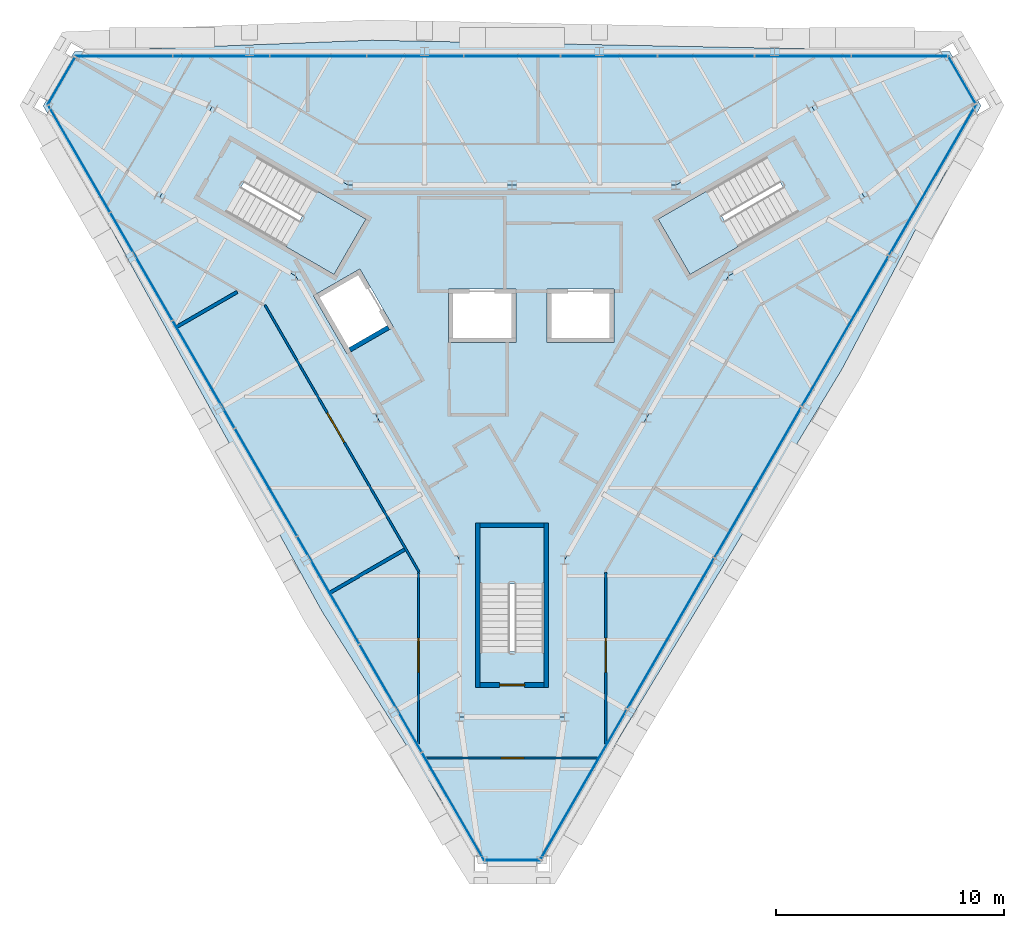
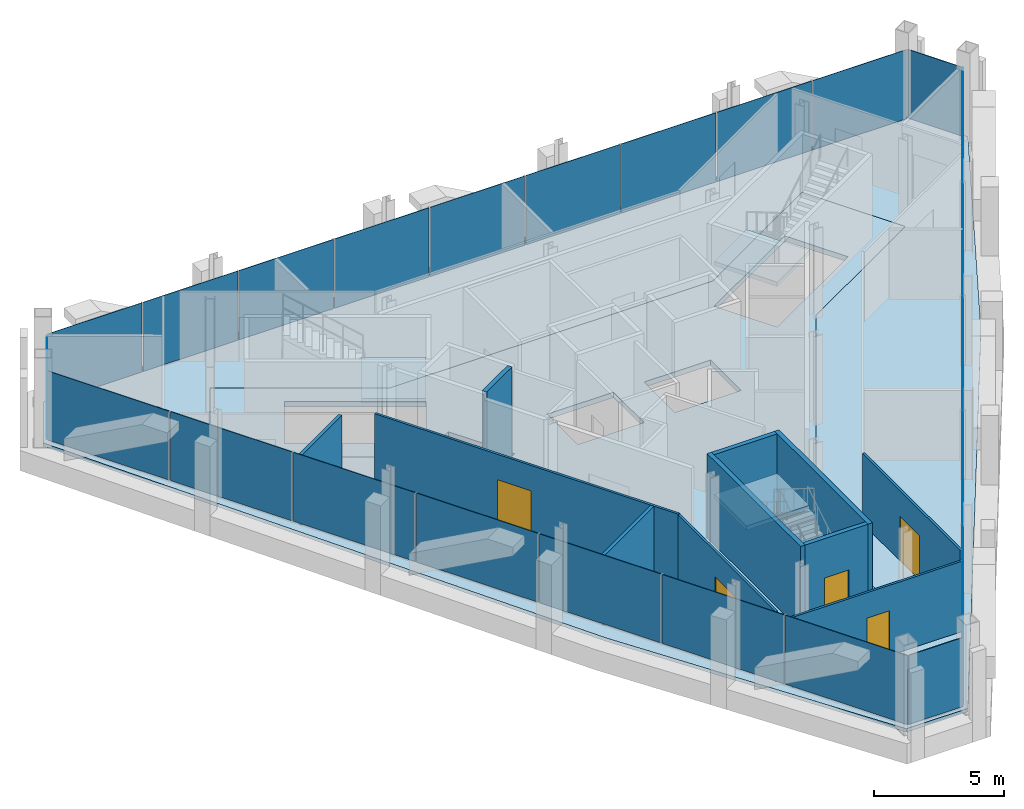
# One storey, part 8 of 13: 24 plates, 11 walls, 5 doors, 5 slabs, 5 openings, 9 elements without a shape of their own.
"""IFC4 building model written with IfcOpenShell, lengths in metres."""

from ifc_helpers import new_model, si_unit, direction, frame, frame_2d, origin, origin_2d, place, context, subcontext, project, spatial, polyline, rectangle, outline, extrude, material, layer, layer_set, type_object, element, fill, aggregate, save


model = new_model("IFC4")

# Units and contexts
model_context = context("Model", 3, precision=1e-05, world=origin(), true_north=direction((0.0, 1.0)))
body_context = subcontext(model_context, "Body", "Model", "MODEL_VIEW")
ifc_project = project(units=[si_unit("LENGTHUNIT", "METRE"), si_unit("AREAUNIT", "SQUARE_METRE"), si_unit("VOLUMEUNIT", "CUBIC_METRE"), si_unit("PLANEANGLEUNIT", "RADIAN"), si_unit("MASSUNIT", "GRAM", prefix="KILO")], contexts=[model_context])

# Site, building, storey
site_placement = place(None, origin())
site = spatial("IfcSite", under=ifc_project, at=site_placement, CompositionType="ELEMENT")
building_placement = place(site_placement, origin())
building = spatial("IfcBuilding", under=site, at=building_placement, Name="Verrane Prism Tower", CompositionType="ELEMENT")
storey_placement = place(building_placement, frame((0.0, 0.0, 312.60009765625)))
storey = spatial("IfcBuildingStorey", under=building, at=storey_placement, Name="L79", CompositionType="ELEMENT", Elevation=312.60009765625)

# Slabs
ifc_material_1 = material(Name="Concrete C35/45", Category="concrete")
ifc_layer_1 = layer(ifc_material_1, 0.159912109375)
ifc_layer_set_1 = layer_set([ifc_layer_1], Name="Composite floor slab")
slab_type_1 = type_object("IfcSlabType", Name="Composite floor slab", PredefinedType="FLOOR", material=ifc_layer_set_1)
slab_1_placement = place(storey_placement, frame((0.0, 0.0, -0.16015625)))
element("IfcSlab", 1, at=slab_1_placement, inside=storey, type_object=slab_type_1, Name="Floor slab L79", PredefinedType="FLOOR", context=body_context, shape_type="SweptSolid", body=[
    extrude(outline(polyline([(14.455810546875, -1.26171875), (1.368896484375, -22.9287109375), (-1.368896484375, -22.9287109375), (-8.320556640625, -11.88818359375), (-20.54150390625, 10.27880859375), (-19.17236328125, 12.64990234375), (-6.13525390625, 13.14990234375), (19.17236328125, 12.64990234375), (20.54150390625, 10.27880859375), (14.455810546875, -1.26171875)]), holes=[polyline([(15.43994140625, 6.260009765625), (13.139892578125, 10.239990234375), (7.179931640625, 6.800048828125), (0.0, 6.800048828125), (-7.179931640625, 6.800048828125), (-13.139892578125, 10.239990234375), (-15.43994140625, 6.260009765625), (-9.47998046875, 2.820068359375), (-5.889892578125, -3.39990234375), (-2.300048828125, -9.6201171875), (-2.300048828125, -16.5), (2.300048828125, -16.5), (2.300048828125, -9.6201171875), (5.889892578125, -3.39990234375), (9.47998046875, 2.820068359375), (15.43994140625, 6.260009765625)])]), origin(), (0.0, 0.0, 1.0), 0.16015625),
])
ifc_material_2 = material(Name="Concrete C40/50", Category="concrete")
ifc_layer_2 = layer(ifc_material_2, 0.25)
ifc_layer_set_2 = layer_set([ifc_layer_2], Name="Core floor slab 250 concrete C40/50")
slab_type_2 = type_object("IfcSlabType", Name="Core floor slab 250 concrete C40/50", PredefinedType="FLOOR", material=ifc_layer_set_2)
slab_2_placement = place(storey_placement, frame((0.0, 0.0, -0.25)))
element("IfcSlab", 2, at=slab_2_placement, inside=storey, type_object=slab_type_2, Name="Core floor L79", PredefinedType="FLOOR", context=body_context, shape_type="SweptSolid", body=[
    extrude(outline(polyline([(9.47998046875, 2.820068359375), (15.43994140625, 6.260009765625), (13.139892578125, 10.239990234375), (7.179931640625, 6.800048828125), (0.0, 6.800048828125), (-7.179931640625, 6.800048828125), (-13.139892578125, 10.239990234375), (-15.43994140625, 6.260009765625), (-9.47998046875, 2.820068359375), (-5.889892578125, -3.39990234375), (-2.300048828125, -9.6201171875), (-2.300048828125, -16.5), (2.300048828125, -16.5), (2.300048828125, -9.6201171875), (5.889892578125, -3.39990234375), (9.47998046875, 2.820068359375)]), holes=[polyline([(-1.39990234375, -13.639892578125), (-1.39990234375, -8.199951171875), (1.39990234375, -8.199951171875), (1.39990234375, -13.639892578125), (-1.39990234375, -13.639892578125)]), polyline([(0.1650390625, 2.25), (0.1650390625, -0.10009765625), (-2.784912109375, -0.10009765625), (-2.784912109375, 2.25), (0.1650390625, 2.25)]), polyline([(4.47509765625, 2.25), (4.47509765625, -0.10009765625), (1.52490234375, -0.10009765625), (1.52490234375, 2.25), (4.47509765625, 2.25)]), polyline([(-8.7041015625, 1.955078125), (-6.66796875, 3.1298828125), (-5.193115234375, 0.574951171875), (-7.22900390625, -0.60009765625), (-8.7041015625, 1.955078125)]), polyline([(-6.40087890625, 5.31201171875), (-7.801025390625, 2.887939453125), (-12.512939453125, 5.60791015625), (-11.113037109375, 8.031982421875), (-6.40087890625, 5.31201171875)]), polyline([(7.801025390625, 2.887939453125), (6.40087890625, 5.31201171875), (11.113037109375, 8.031982421875), (12.512939453125, 5.60791015625), (7.801025390625, 2.887939453125)])]), origin(), (0.0, 0.0, 1.0), 0.25),
])

# Curtain wall, plates
ifc_material_3 = material(Name="Aluminium framed insulated glazing", Category="aluminium")
curtain_wall_type_1 = type_object("IfcCurtainWallType", Name="Curtain wall CW-C 4200 module", PredefinedType="NOTDEFINED", material=ifc_material_3)
curtain_wall_1_placement = place(storey_placement, origin())
curtain_wall_1 = element("IfcCurtainWall", 3, at=curtain_wall_1_placement, inside=storey, type_object=curtain_wall_type_1, Name="Glazed curtain wall north face L79", PredefinedType="NOTDEFINED")
ifc_material_4 = material(Name="Low-iron insulating glass unit", Category="glass")
ifc_layer_3 = layer(ifc_material_4, 0.02392578125)
ifc_layer_set_3 = layer_set([ifc_layer_3], Name="Glazing panel IGU 24")
plate_type_1 = type_object("IfcPlateType", Name="Glazing panel IGU 24", PredefinedType="CURTAIN_PANEL", material=ifc_layer_set_3)
plate_1_placement = place(storey_placement, frame((16.977783203125, 12.447265625, 0.050048828125), z_axis=(0.0, 0.0, 1.0), x_axis=(-1.0, 0.0, 0.0)))
plate_1 = element("IfcPlate", 4, at=plate_1_placement, type_object=plate_type_1, Name="CW79.2 panel 1", PredefinedType="CURTAIN_PANEL", context=body_context, shape_type="SweptSolid", body=[
    extrude(rectangle(XDim=4.172607421875, YDim=0.02392578125, at=origin_2d()), origin(), (0.0, 0.0, 1.0), 3.24658203125),
])
plate_2_placement = place(storey_placement, frame((12.74267578125, 12.447265625, 0.050048828125), z_axis=(0.0, 0.0, 1.0), x_axis=(-1.0, 0.0, 0.0)))
plate_2 = element("IfcPlate", 5, at=plate_2_placement, type_object=plate_type_1, Name="CW79.2 panel 2", PredefinedType="CURTAIN_PANEL", context=body_context, shape_type="SweptSolid", body=[
    extrude(rectangle(XDim=4.197509765625, YDim=0.02392578125, at=origin_2d()), origin(), (0.0, 0.0, 1.0), 3.24658203125),
])
plate_3_placement = place(storey_placement, frame((8.4951171875, 12.447265625, 0.050048828125), z_axis=(0.0, 0.0, 1.0), x_axis=(-1.0, 0.0, 0.0)))
plate_3 = element("IfcPlate", 6, at=plate_3_placement, type_object=plate_type_1, Name="CW79.2 panel 3", PredefinedType="CURTAIN_PANEL", context=body_context, shape_type="SweptSolid", body=[
    extrude(rectangle(XDim=4.197509765625, YDim=0.02392578125, at=origin_2d()), origin(), (0.0, 0.0, 1.0), 3.24658203125),
])
plate_4_placement = place(storey_placement, frame((4.24755859375, 12.447265625, 0.050048828125), z_axis=(0.0, 0.0, 1.0), x_axis=(-1.0, 0.0, 0.0)))
plate_4 = element("IfcPlate", 7, at=plate_4_placement, type_object=plate_type_1, Name="CW79.2 panel 4", PredefinedType="CURTAIN_PANEL", context=body_context, shape_type="SweptSolid", body=[
    extrude(rectangle(XDim=4.197509765625, YDim=0.02392578125, at=origin_2d()), origin(), (0.0, 0.0, 1.0), 3.24658203125),
])
plate_5_placement = place(storey_placement, frame((0.0, 12.447265625, 0.050048828125), z_axis=(0.0, 0.0, 1.0), x_axis=(-1.0, 0.0, 0.0)))
plate_5 = element("IfcPlate", 8, at=plate_5_placement, type_object=plate_type_1, Name="CW79.2 panel 5", PredefinedType="CURTAIN_PANEL", context=body_context, shape_type="SweptSolid", body=[
    extrude(rectangle(XDim=4.197509765625, YDim=0.02392578125, at=origin_2d()), origin(), (0.0, 0.0, 1.0), 3.24658203125),
])
plate_6_placement = place(storey_placement, frame((-4.24755859375, 12.447265625, 0.050048828125), z_axis=(0.0, 0.0, 1.0), x_axis=(-1.0, 0.0, 0.0)))
plate_6 = element("IfcPlate", 9, at=plate_6_placement, type_object=plate_type_1, Name="CW79.2 panel 6", PredefinedType="CURTAIN_PANEL", context=body_context, shape_type="SweptSolid", body=[
    extrude(rectangle(XDim=4.197509765625, YDim=0.02392578125, at=origin_2d()), origin(), (0.0, 0.0, 1.0), 3.24658203125),
])
plate_7_placement = place(storey_placement, frame((-8.4951171875, 12.447265625, 0.050048828125), z_axis=(0.0, 0.0, 1.0), x_axis=(-1.0, 0.0, 0.0)))
plate_7 = element("IfcPlate", 10, at=plate_7_placement, type_object=plate_type_1, Name="CW79.2 panel 7", PredefinedType="CURTAIN_PANEL", context=body_context, shape_type="SweptSolid", body=[
    extrude(rectangle(XDim=4.197509765625, YDim=0.02392578125, at=origin_2d()), origin(), (0.0, 0.0, 1.0), 3.24658203125),
])
plate_8_placement = place(storey_placement, frame((-12.74267578125, 12.447265625, 0.050048828125), z_axis=(0.0, 0.0, 1.0), x_axis=(-1.0, 0.0, 0.0)))
plate_8 = element("IfcPlate", 11, at=plate_8_placement, type_object=plate_type_1, Name="CW79.2 panel 8", PredefinedType="CURTAIN_PANEL", context=body_context, shape_type="SweptSolid", body=[
    extrude(rectangle(XDim=4.197509765625, YDim=0.02392578125, at=origin_2d()), origin(), (0.0, 0.0, 1.0), 3.24658203125),
])
plate_9_placement = place(storey_placement, frame((-17.002685546875, 12.447265625, 0.050048828125), z_axis=(0.0, 0.0, 1.0), x_axis=(-1.0, 0.0, 0.0)))
plate_9 = element("IfcPlate", 12, at=plate_9_placement, type_object=plate_type_1, Name="CW79.2 panel 9", PredefinedType="CURTAIN_PANEL", context=body_context, shape_type="SweptSolid", body=[
    extrude(rectangle(XDim=4.22265625, YDim=0.02392578125, at=origin_2d()), origin(), (0.0, 0.0, 1.0), 3.24658203125),
])
aggregate(curtain_wall_1, [plate_1, plate_2, plate_3, plate_4, plate_5, plate_6, plate_7, plate_8, plate_9])

# Curtain wall, plate
curtain_wall_2_placement = place(storey_placement, origin())
curtain_wall_2 = element("IfcCurtainWall", 13, at=curtain_wall_2_placement, inside=storey, type_object=curtain_wall_type_1, Name="Glazed curtain wall south corner L79", PredefinedType="NOTDEFINED")
plate_10_placement = place(storey_placement, frame((0.02490234375, -22.77685546875, 0.050048828125), z_axis=(0.0, 0.0, 1.0), x_axis=(1.0, 0.0, 0.0)))
plate_10 = element("IfcPlate", 14, at=plate_10_placement, type_object=plate_type_1, Name="CW79.5 panel 1", PredefinedType="CURTAIN_PANEL", context=body_context, shape_type="SweptSolid", body=[
    extrude(rectangle(XDim=2.395263671875, YDim=0.02392578125, at=origin_2d()), origin(), (0.0, 0.0, 1.0), 3.24658203125),
])
aggregate(curtain_wall_2, [plate_10])

# Curtain wall, plates
ifc_material_5 = material(Name="Aluminium framed insulated glazing", Category="aluminium")
curtain_wall_type_2 = type_object("IfcCurtainWallType", Name="Curtain wall CW-B 5600 module", PredefinedType="NOTDEFINED", material=ifc_material_5)
curtain_wall_3_placement = place(storey_placement, origin())
curtain_wall_3 = element("IfcCurtainWall", 15, at=curtain_wall_3_placement, inside=storey, type_object=curtain_wall_type_2, Name="Glazed curtain wall south-west face L79", PredefinedType="NOTDEFINED")
ifc_material_6 = material(Name="Low-iron insulating glass unit", Category="glass")
ifc_layer_4 = layer(ifc_material_6, 0.028076171875)
ifc_layer_set_4 = layer_set([ifc_layer_4], Name="Glazing panel IGU 28")
plate_type_2 = type_object("IfcPlateType", Name="Glazing panel IGU 28", PredefinedType="CURTAIN_PANEL", material=ifc_layer_set_4)
plate_11_placement = place(storey_placement, frame((-18.9638671875, 7.951904296875, 0.059814453125), z_axis=(0.0, 0.0, 1.0), x_axis=(0.500000216749, -0.866025278644, 0.0)))
plate_11 = element("IfcPlate", 16, at=plate_11_placement, type_object=plate_type_2, Name="CW79.4 panel 1", PredefinedType="CURTAIN_PANEL", context=body_context, shape_type="SweptSolid", body=[
    extrude(rectangle(XDim=5.37109375, YDim=0.028076171875, at=origin_2d()), origin(), (0.0, 0.0, 1.0), 3.23681640625),
])
plate_12_placement = place(storey_placement, frame((-16.24072265625, 3.2353515625, 0.059814453125), z_axis=(0.0, 0.0, 1.0), x_axis=(0.500000216749, -0.866025278644, 0.0)))
plate_12 = element("IfcPlate", 17, at=plate_12_placement, type_object=plate_type_2, Name="CW79.4 panel 2", PredefinedType="CURTAIN_PANEL", context=body_context, shape_type="SweptSolid", body=[
    extrude(rectangle(XDim=5.401123046875, YDim=0.028076171875, at=origin_2d()), origin(), (0.0, 0.0, 1.0), 3.23681640625),
])
plate_13_placement = place(storey_placement, frame((-13.51025390625, -1.494140625, 0.059814453125), z_axis=(0.0, 0.0, 1.0), x_axis=(0.500000216749, -0.866025278644, 0.0)))
plate_13 = element("IfcPlate", 18, at=plate_13_placement, type_object=plate_type_2, Name="CW79.4 panel 3", PredefinedType="CURTAIN_PANEL", context=body_context, shape_type="SweptSolid", body=[
    extrude(rectangle(XDim=5.401123046875, YDim=0.028076171875, at=origin_2d()), origin(), (0.0, 0.0, 1.0), 3.23681640625),
])
plate_14_placement = place(storey_placement, frame((-10.779541015625, -6.2236328125, 0.059814453125), z_axis=(0.0, 0.0, 1.0), x_axis=(0.500000216749, -0.866025278644, 0.0)))
plate_14 = element("IfcPlate", 19, at=plate_14_placement, type_object=plate_type_2, Name="CW79.4 panel 4", PredefinedType="CURTAIN_PANEL", context=body_context, shape_type="SweptSolid", body=[
    extrude(rectangle(XDim=5.401123046875, YDim=0.028076171875, at=origin_2d()), origin(), (0.0, 0.0, 1.0), 3.23681640625),
])
plate_15_placement = place(storey_placement, frame((-8.049072265625, -10.953125, 0.059814453125), z_axis=(0.0, 0.0, 1.0), x_axis=(0.500000216749, -0.866025278644, 0.0)))
plate_15 = element("IfcPlate", 20, at=plate_15_placement, type_object=plate_type_2, Name="CW79.4 panel 5", PredefinedType="CURTAIN_PANEL", context=body_context, shape_type="SweptSolid", body=[
    extrude(rectangle(XDim=5.401123046875, YDim=0.028076171875, at=origin_2d()), origin(), (0.0, 0.0, 1.0), 3.23681640625),
])
plate_16_placement = place(storey_placement, frame((-5.318359375, -15.6826171875, 0.059814453125), z_axis=(0.0, 0.0, 1.0), x_axis=(0.500000216749, -0.866025278644, 0.0)))
plate_16 = element("IfcPlate", 21, at=plate_16_placement, type_object=plate_type_2, Name="CW79.4 panel 6", PredefinedType="CURTAIN_PANEL", context=body_context, shape_type="SweptSolid", body=[
    extrude(rectangle(XDim=5.401123046875, YDim=0.028076171875, at=origin_2d()), origin(), (0.0, 0.0, 1.0), 3.23681640625),
])
plate_17_placement = place(storey_placement, frame((-2.580322265625, -20.425048828125, 0.059814453125), z_axis=(0.0, 0.0, 1.0), x_axis=(0.500000216749, -0.866025278644, 0.0)))
plate_17 = element("IfcPlate", 22, at=plate_17_placement, type_object=plate_type_2, Name="CW79.4 panel 7", PredefinedType="CURTAIN_PANEL", context=body_context, shape_type="SweptSolid", body=[
    extrude(rectangle(XDim=5.43115234375, YDim=0.028076171875, at=origin_2d()), origin(), (0.0, 0.0, 1.0), 3.23681640625),
])
aggregate(curtain_wall_3, [plate_11, plate_12, plate_13, plate_14, plate_15, plate_16, plate_17])

# Curtain wall, plate
ifc_material_7 = material(Name="Aluminium framed insulated glazing", Category="aluminium")
curtain_wall_type_3 = type_object("IfcCurtainWallType", Name="Curtain wall CW-A 8400 module", PredefinedType="NOTDEFINED", material=ifc_material_7)
curtain_wall_4_placement = place(storey_placement, origin())
curtain_wall_4 = element("IfcCurtainWall", 23, at=curtain_wall_4_placement, inside=storey, type_object=curtain_wall_type_3, Name="Glazed curtain wall north-east corner L79", PredefinedType="NOTDEFINED")
ifc_material_8 = material(Name="Low-iron insulating glass unit", Category="glass")
ifc_layer_5 = layer(ifc_material_8, 0.031982421875)
ifc_layer_set_5 = layer_set([ifc_layer_5], Name="Glazing panel IGU 32")
plate_type_3 = type_object("IfcPlateType", Name="Glazing panel IGU 32", PredefinedType="CURTAIN_PANEL", material=ifc_layer_set_5)
plate_18_placement = place(storey_placement, frame((19.707763671875, 11.418701171875, 0.06982421875), z_axis=(0.0, 0.0, 1.0), x_axis=(-0.500000941634, 0.866024860131, 0.0)))
plate_18 = element("IfcPlate", 24, at=plate_18_placement, type_object=plate_type_3, Name="CW79.1 panel 1", PredefinedType="CURTAIN_PANEL", context=body_context, shape_type="SweptSolid", body=[
    extrude(rectangle(XDim=2.375244140625, YDim=0.031982421875, at=origin_2d()), origin(), (0.0, 0.0, 1.0), 3.226806640625),
])
aggregate(curtain_wall_4, [plate_18])

curtain_wall_5_placement = place(storey_placement, origin())
curtain_wall_5 = element("IfcCurtainWall", 25, at=curtain_wall_5_placement, inside=storey, type_object=curtain_wall_type_3, Name="Glazed curtain wall north-west corner L79", PredefinedType="NOTDEFINED")
plate_19_placement = place(storey_placement, frame((-19.742919921875, 11.358154296875, 0.06982421875), z_axis=(0.0, 0.0, 1.0), x_axis=(-0.500000941634, -0.866024860131, 0.0)))
plate_19 = element("IfcPlate", 26, at=plate_19_placement, type_object=plate_type_3, Name="CW79.3 panel 1", PredefinedType="CURTAIN_PANEL", context=body_context, shape_type="SweptSolid", body=[
    extrude(rectangle(XDim=2.375244140625, YDim=0.031982421875, at=origin_2d()), origin(), (0.0, 0.0, 1.0), 3.226806640625),
])
aggregate(curtain_wall_5, [plate_19])

# Curtain wall, plates
curtain_wall_6_placement = place(storey_placement, origin())
curtain_wall_6 = element("IfcCurtainWall", 27, at=curtain_wall_6_placement, inside=storey, type_object=curtain_wall_type_3, Name="Glazed curtain wall south-east face L79", PredefinedType="NOTDEFINED")
plate_20_placement = place(storey_placement, frame((3.142822265625, -19.450927734375, 0.06982421875), z_axis=(0.0, 0.0, 1.0), x_axis=(0.500000216749, 0.866025278644, 0.0)))
plate_20 = element("IfcPlate", 28, at=plate_20_placement, type_object=plate_type_3, Name="CW79.6 panel 1", PredefinedType="CURTAIN_PANEL", context=body_context, shape_type="SweptSolid", body=[
    extrude(rectangle(XDim=7.54052734375, YDim=0.031982421875, at=origin_2d()), origin(), (0.0, 0.0, 1.0), 3.226806640625),
])
plate_21_placement = place(storey_placement, frame((6.956787109375, -12.844970703125, 0.06982421875), z_axis=(0.0, 0.0, 1.0), x_axis=(0.500000216749, 0.866025278644, 0.0)))
plate_21 = element("IfcPlate", 29, at=plate_21_placement, type_object=plate_type_3, Name="CW79.6 panel 2", PredefinedType="CURTAIN_PANEL", context=body_context, shape_type="SweptSolid", body=[
    extrude(rectangle(XDim=7.57568359375, YDim=0.031982421875, at=origin_2d()), origin(), (0.0, 0.0, 1.0), 3.226806640625),
])
plate_22_placement = place(storey_placement, frame((10.779541015625, -6.2236328125, 0.06982421875), z_axis=(0.0, 0.0, 1.0), x_axis=(0.500000216749, 0.866025278644, 0.0)))
plate_22 = element("IfcPlate", 30, at=plate_22_placement, type_object=plate_type_3, Name="CW79.6 panel 3", PredefinedType="CURTAIN_PANEL", context=body_context, shape_type="SweptSolid", body=[
    extrude(rectangle(XDim=7.57568359375, YDim=0.031982421875, at=origin_2d()), origin(), (0.0, 0.0, 1.0), 3.226806640625),
])
plate_23_placement = place(storey_placement, frame((14.602294921875, 0.397705078125, 0.06982421875), z_axis=(0.0, 0.0, 1.0), x_axis=(0.500000216749, 0.866025278644, 0.0)))
plate_23 = element("IfcPlate", 31, at=plate_23_placement, type_object=plate_type_3, Name="CW79.6 panel 4", PredefinedType="CURTAIN_PANEL", context=body_context, shape_type="SweptSolid", body=[
    extrude(rectangle(XDim=7.57568359375, YDim=0.031982421875, at=origin_2d()), origin(), (0.0, 0.0, 1.0), 3.226806640625),
])
plate_24_placement = place(storey_placement, frame((18.433837890625, 7.0341796875, 0.06982421875), z_axis=(0.0, 0.0, 1.0), x_axis=(0.500000216749, 0.866025278644, 0.0)))
plate_24 = element("IfcPlate", 32, at=plate_24_placement, type_object=plate_type_3, Name="CW79.6 panel 5", PredefinedType="CURTAIN_PANEL", context=body_context, shape_type="SweptSolid", body=[
    extrude(rectangle(XDim=7.610595703125, YDim=0.031982421875, at=origin_2d()), origin(), (0.0, 0.0, 1.0), 3.226806640625),
])
aggregate(curtain_wall_6, [plate_20, plate_21, plate_22, plate_23, plate_24])

# Stair, slab
ifc_material_9 = material(Name="Concrete C40/50", Category="concrete")
stair_type = type_object("IfcStairType", Name="Exit stair 1300 dog-leg precast concrete C40/50", PredefinedType="HALF_TURN_STAIR", material=ifc_material_9)
stair_1_placement = place(storey_placement, origin())
stair_1 = element("IfcStair", 33, at=stair_1_placement, inside=storey, type_object=stair_type, Name="Stair 1 L79", PredefinedType="HALF_TURN_STAIR")
ifc_material_10 = material(Name="Concrete C40/50", Category="concrete")
ifc_layer_6 = layer(ifc_material_10, 0.199951171875)
ifc_layer_set_6 = layer_set([ifc_layer_6], Name="Stair landing 200 precast concrete C40/50")
slab_type_3 = type_object("IfcSlabType", Name="Stair landing 200 precast concrete C40/50", PredefinedType="LANDING", material=ifc_layer_set_6)
slab_3_placement = place(storey_placement, frame((0.0, 0.0, 1.89990234375)))
slab_3 = element("IfcSlab", 34, at=slab_3_placement, type_object=slab_type_3, Name="Stair 1 landing 1", PredefinedType="LANDING", context=body_context, shape_type="SweptSolid", body=[
    extrude(outline(polyline([(8.549072265625, 6.552490234375), (6.4013671875, 5.3125), (7.801513671875, 2.887451171875), (9.94921875, 4.127685546875), (8.549072265625, 6.552490234375)])), origin(), (0.0, 0.0, 1.0), 0.199951171875),
])
aggregate(stair_1, [slab_3])

stair_2_placement = place(storey_placement, origin())
stair_2 = element("IfcStair", 35, at=stair_2_placement, inside=storey, type_object=stair_type, Name="Stair 2 L79", PredefinedType="HALF_TURN_STAIR")
slab_4_placement = place(storey_placement, frame((0.0, 0.0, 1.89990234375)))
slab_4 = element("IfcSlab", 36, at=slab_4_placement, type_object=slab_type_3, Name="Stair 2 landing 1", PredefinedType="LANDING", context=body_context, shape_type="SweptSolid", body=[
    extrude(outline(polyline([(-9.94921875, 4.127685546875), (-7.801513671875, 2.887451171875), (-6.4013671875, 5.3125), (-8.549072265625, 6.552490234375), (-9.94921875, 4.127685546875)])), origin(), (0.0, 0.0, 1.0), 0.199951171875),
])
aggregate(stair_2, [slab_4])

stair_3_placement = place(storey_placement, origin())
stair_3 = element("IfcStair", 37, at=stair_3_placement, inside=storey, type_object=stair_type, Name="Stair 3 L79", PredefinedType="HALF_TURN_STAIR")
slab_5_placement = place(storey_placement, frame((0.0, 0.0, 1.89990234375)))
slab_5 = element("IfcSlab", 38, at=slab_5_placement, type_object=slab_type_3, Name="Stair 3 landing 1", PredefinedType="LANDING", context=body_context, shape_type="SweptSolid", body=[
    extrude(outline(polyline([(1.39990234375, -10.679931640625), (1.39990234375, -8.199951171875), (-1.39990234375, -8.199951171875), (-1.39990234375, -10.679931640625), (1.39990234375, -10.679931640625)])), origin(), (0.0, 0.0, 1.0), 0.199951171875),
])
aggregate(stair_3, [slab_5])

# Wall, opening, door
ifc_material_11 = material(Name="Concrete C40/50", Category="concrete")
ifc_layer_7 = layer(ifc_material_11, 0.199951171875)
ifc_layer_set_7 = layer_set([ifc_layer_7], Name="CW-200 stair core wall concrete C40/50 3 h")
wall_type_1 = type_object("IfcWallType", Name="CW-200 stair core wall concrete C40/50 3 h", PredefinedType="PARTITIONING", material=ifc_layer_set_7)
wall_1_placement = place(storey_placement, frame((-1.39990234375, -15.10009765625, 0.0), z_axis=(0.0, 0.0, 1.0), x_axis=(1.0, 0.0, 0.0)))
wall_1 = element("IfcWall", 39, at=wall_1_placement, inside=storey, type_object=wall_type_1, Name="Stair 3 enclosure wall", PredefinedType="PARTITIONING", context=body_context, shape_type="SweptSolid", body=[
    extrude(rectangle(XDim=2.7998046875, YDim=0.199951171875, at=frame_2d((1.39990234375, 0.0))), origin(), (0.0, 0.0, 1.0), 3.949951171875),
])
opening_1_placement = place(wall_1_placement, frame((0.85009765625, 0.0, 0.0)))
opening_1 = element("IfcOpeningElement", 40, at=opening_1_placement, cuts=wall_1, Name="Opening D79502", PredefinedType="OPENING", context=body_context, shape_type="SweptSolid", body=[
    extrude(rectangle(XDim=1.10009765625, YDim=2.10009765625, at=frame_2d((0.550048828125, 1.050048828125))), frame((0.0, 0.10986328125, 0.0), z_axis=(0.0, -1.0, 0.0), x_axis=(1.0, 0.0, 0.0)), (0.0, 0.0, 1.0), 0.219970703125),
])
ifc_material_12 = material(Name="Timber veneered door leaf", Category="wood")
door_type_1 = type_object("IfcDoorType", Name="DR-1100x2100 FD90 single leaf stair", OperationType="NOTDEFINED", PredefinedType="DOOR", material=ifc_material_12)
door_1_placement = place(opening_1_placement, origin())
door_1 = element("IfcDoor", 41, at=door_1_placement, inside=storey, type_object=door_type_1, Name="Stair 3 door", OperationType="SINGLE_SWING_LEFT", OverallHeight=2.10009765625, OverallWidth=1.10009765625, PredefinedType="DOOR", context=body_context, shape_type="SweptSolid", body=[
    extrude(rectangle(XDim=1.10009765625, YDim=2.10009765625, at=frame_2d((0.550048828125, 1.050048828125))), frame((0.0, 0.02490234375, 0.0), z_axis=(0.0, -1.0, 0.0), x_axis=(1.0, 0.0, 0.0)), (0.0, 0.0, 1.0), 0.050048828125),
])
fill(opening_1, door_1)

# Walls
for number, where, z_axis, x_axis, name in (
    (42, (1.5, -8.0, 0.0), (0.0, 0.0, 1.0), (0.0, -1.0, 0.0), "Stair 3 enclosure wall"),
    (43, (-1.5, -8.0, 0.0), (0.0, 0.0, 1.0), (0.0, -1.0, 0.0), "Stair 3 enclosure wall"),
):
    element("IfcWall", number, at=place(storey_placement, frame(where, z_axis=z_axis, x_axis=x_axis)), inside=storey, type_object=wall_type_1, Name=name, PredefinedType="PARTITIONING", context=body_context, shape_type="SweptSolid", body=[
        extrude(rectangle(XDim=7.199951171875, YDim=0.199951171875, at=frame_2d((3.60009765625, 0.0))), origin(), (0.0, 0.0, 1.0), 3.949951171875),
    ])
wall_2_placement = place(storey_placement, frame((-1.39990234375, -8.10009765625, 0.0), z_axis=(0.0, 0.0, 1.0), x_axis=(1.0, 0.0, 0.0)))
element("IfcWall", 44, at=wall_2_placement, inside=storey, type_object=wall_type_1, Name="Stair 3 enclosure wall", PredefinedType="PARTITIONING", context=body_context, shape_type="SweptSolid", body=[
    extrude(rectangle(XDim=2.7998046875, YDim=0.199951171875, at=frame_2d((1.39990234375, 0.0))), origin(), (0.0, 0.0, 1.0), 3.949951171875),
])
ifc_material_13 = material(Name="Gypsum board shaft wall assembly", Category="other")
ifc_layer_8 = layer(ifc_material_13, 0.199951171875)
ifc_layer_set_8 = layer_set([ifc_layer_8], Name="HW-200 lift shaft wall 2 h")
wall_type_2 = type_object("IfcWallType", Name="HW-200 lift shaft wall 2 h", PredefinedType="PARTITIONING", material=ifc_layer_set_8)
wall_3_placement = place(storey_placement, frame((-7.10546875, -0.4130859375, 0.0), z_axis=(0.0, 0.0, 1.0), x_axis=(0.866000020948, 0.500043961785, 0.0)))
element("IfcWall", 45, at=wall_3_placement, inside=storey, type_object=wall_type_2, Name="Lift shaft wall", PredefinedType="PARTITIONING", context=body_context, shape_type="SweptSolid", body=[
    extrude(rectangle(XDim=1.949951171875, YDim=0.199951171875, at=frame_2d((0.97509765625, 0.0))), origin(), (0.0, 0.0, 1.0), 4.199951171875),
])

# Wall, opening, door
ifc_material_14 = material(Name="Gypsum board partition", Category="other")
ifc_layer_9 = layer(ifc_material_14, 0.10009765625)
ifc_layer_set_9 = layer_set([ifc_layer_9], Name="PW-100 crown corridor wall 1 h")
wall_type_3 = type_object("IfcWallType", Name="PW-100 crown corridor wall 1 h", PredefinedType="PARTITIONING", material=ifc_layer_set_9)
wall_4_placement = place(storey_placement, frame((-4.074951171875, -10.145263671875, 0.0), z_axis=(0.0, 0.0, 1.0), x_axis=(-0.499912942625, 0.866075660549, 0.0)))
wall_4 = element("IfcWall", 46, at=wall_4_placement, inside=storey, type_object=wall_type_3, Name="Corridor wall 006", PredefinedType="PARTITIONING", context=body_context, shape_type="SweptSolid", body=[
    extrude(rectangle(XDim=13.49853515625, YDim=0.10009765625, at=frame_2d((6.749267578125, 0.0))), origin(), (0.0, 0.0, 1.0), 3.296875),
])
opening_2_placement = place(wall_4_placement, frame((6.54833984375, 0.0, 0.0)))
opening_2 = element("IfcOpeningElement", 47, at=opening_2_placement, cuts=wall_4, Name="Opening D79006", PredefinedType="OPENING", context=body_context, shape_type="SweptSolid", body=[
    extrude(rectangle(XDim=1.5, YDim=2.10009765625, at=frame_2d((0.75, 1.050048828125))), frame((0.0, 0.06005859375, 0.0), z_axis=(0.0, -1.0, 0.0), x_axis=(1.0, 0.0, 0.0)), (0.0, 0.0, 1.0), 0.1201171875),
])
ifc_material_15 = material(Name="Timber veneered door leaf", Category="wood")
door_type_2 = type_object("IfcDoorType", Name="DR-1500x2100 FD60 double leaf unit", OperationType="NOTDEFINED", PredefinedType="DOOR", material=ifc_material_15)
door_2_placement = place(opening_2_placement, origin())
door_2 = element("IfcDoor", 48, at=door_2_placement, inside=storey, type_object=door_type_2, Name="Mechanical Plant Room door", OperationType="DOUBLE_DOOR_SINGLE_SWING", OverallHeight=2.10009765625, OverallWidth=1.5, PredefinedType="DOOR", context=body_context, shape_type="SweptSolid", body=[
    extrude(rectangle(XDim=1.5, YDim=2.10009765625, at=frame_2d((0.75, 1.050048828125))), frame((0.0, 0.02490234375, 0.0), z_axis=(0.0, -1.0, 0.0), x_axis=(1.0, 0.0, 0.0)), (0.0, 0.0, 1.0), 0.050048828125),
])
fill(opening_2, door_2)

wall_5_placement = place(storey_placement, frame((-4.10009765625, -17.679931640625, 0.0), z_axis=(0.0, 0.0, 1.0), x_axis=(0.0, 1.0, 0.0)))
wall_5 = element("IfcWall", 49, at=wall_5_placement, inside=storey, type_object=wall_type_3, Name="Corridor wall 010", PredefinedType="PARTITIONING", context=body_context, shape_type="SweptSolid", body=[
    extrude(rectangle(XDim=7.5078125, YDim=0.10009765625, at=frame_2d((3.75390625, 0.0))), origin(), (0.0, 0.0, 1.0), 3.296875),
])
opening_3_placement = place(wall_5_placement, frame((3.136962890625, 0.0, 0.0)))
opening_3 = element("IfcOpeningElement", 50, at=opening_3_placement, cuts=wall_5, Name="Opening D79007", PredefinedType="OPENING", context=body_context, shape_type="SweptSolid", body=[
    extrude(rectangle(XDim=1.5, YDim=2.10009765625, at=frame_2d((0.75, 1.050048828125))), frame((0.0, 0.06005859375, 0.0), z_axis=(0.0, -1.0, 0.0), x_axis=(1.0, 0.0, 0.0)), (0.0, 0.0, 1.0), 0.1201171875),
])
door_3_placement = place(opening_3_placement, origin())
door_3 = element("IfcDoor", 51, at=door_3_placement, inside=storey, type_object=door_type_2, Name="Mechanical Plant Room door", OperationType="DOUBLE_DOOR_SINGLE_SWING", OverallHeight=2.10009765625, OverallWidth=1.5, PredefinedType="DOOR", context=body_context, shape_type="SweptSolid", body=[
    extrude(rectangle(XDim=1.5, YDim=2.10009765625, at=frame_2d((0.75, 1.050048828125))), frame((0.0, 0.02490234375, 0.0), z_axis=(0.0, -1.0, 0.0), x_axis=(1.0, 0.0, 0.0)), (0.0, 0.0, 1.0), 0.050048828125),
])
fill(opening_3, door_3)

wall_6_placement = place(storey_placement, frame((3.762939453125, -18.300048828125, 0.0), z_axis=(0.0, 0.0, 1.0), x_axis=(-1.0, 0.0, 0.0)))
wall_6 = element("IfcWall", 52, at=wall_6_placement, inside=storey, type_object=wall_type_3, Name="Corridor wall 011", PredefinedType="PARTITIONING", context=body_context, shape_type="SweptSolid", body=[
    extrude(rectangle(XDim=7.52587890625, YDim=0.10009765625, at=frame_2d((3.762939453125, 0.0))), origin(), (0.0, 0.0, 1.0), 3.296875),
])
opening_4_placement = place(wall_6_placement, frame((3.246826171875, 0.0, 0.0)))
opening_4 = element("IfcOpeningElement", 53, at=opening_4_placement, cuts=wall_6, Name="Opening D79008", PredefinedType="OPENING", context=body_context, shape_type="SweptSolid", body=[
    extrude(rectangle(XDim=1.0, YDim=2.10009765625, at=frame_2d((0.5, 1.050048828125))), frame((0.0, 0.06005859375, 0.0), z_axis=(0.0, -1.0, 0.0), x_axis=(1.0, 0.0, 0.0)), (0.0, 0.0, 1.0), 0.1201171875),
])
ifc_material_16 = material(Name="Timber veneered door leaf", Category="wood")
door_type_3 = type_object("IfcDoorType", Name="DR-1000x2100 FD60 single leaf unit", OperationType="NOTDEFINED", PredefinedType="DOOR", material=ifc_material_16)
door_4_placement = place(opening_4_placement, origin())
door_4 = element("IfcDoor", 54, at=door_4_placement, inside=storey, type_object=door_type_3, Name="Telecom Room door", OperationType="SINGLE_SWING_LEFT", OverallHeight=2.10009765625, OverallWidth=1.0, PredefinedType="DOOR", context=body_context, shape_type="SweptSolid", body=[
    extrude(rectangle(XDim=1.0, YDim=2.10009765625, at=frame_2d((0.5, 1.050048828125))), frame((0.0, 0.02490234375, 0.0), z_axis=(0.0, -1.0, 0.0), x_axis=(1.0, 0.0, 0.0)), (0.0, 0.0, 1.0), 0.050048828125),
])
fill(opening_4, door_4)

wall_7_placement = place(storey_placement, frame((4.10009765625, -10.172119140625, 0.0), z_axis=(0.0, 0.0, 1.0), x_axis=(0.0, -1.0, 0.0)))
wall_7 = element("IfcWall", 55, at=wall_7_placement, inside=storey, type_object=wall_type_3, Name="Corridor wall 013", PredefinedType="PARTITIONING", context=body_context, shape_type="SweptSolid", body=[
    extrude(rectangle(XDim=7.5078125, YDim=0.10009765625, at=frame_2d((3.75390625, 0.0))), origin(), (0.0, 0.0, 1.0), 3.296875),
])
opening_5_placement = place(wall_7_placement, frame((2.87109375, 0.0, 0.0)))
opening_5 = element("IfcOpeningElement", 56, at=opening_5_placement, cuts=wall_7, Name="Opening D79009", PredefinedType="OPENING", context=body_context, shape_type="SweptSolid", body=[
    extrude(rectangle(XDim=1.5, YDim=2.10009765625, at=frame_2d((0.75, 1.050048828125))), frame((0.0, 0.06005859375, 0.0), z_axis=(0.0, -1.0, 0.0), x_axis=(1.0, 0.0, 0.0)), (0.0, 0.0, 1.0), 0.1201171875),
])
door_5_placement = place(opening_5_placement, origin())
door_5 = element("IfcDoor", 57, at=door_5_placement, inside=storey, type_object=door_type_2, Name="Mechanical Plant Room door", OperationType="DOUBLE_DOOR_SINGLE_SWING", OverallHeight=2.10009765625, OverallWidth=1.5, PredefinedType="DOOR", context=body_context, shape_type="SweptSolid", body=[
    extrude(rectangle(XDim=1.5, YDim=2.10009765625, at=frame_2d((0.75, 1.050048828125))), frame((0.0, 0.02490234375, 0.0), z_axis=(0.0, -1.0, 0.0), x_axis=(1.0, 0.0, 0.0)), (0.0, 0.0, 1.0), 0.050048828125),
])
fill(opening_5, door_5)

# Walls
ifc_material_17 = material(Name="Gypsum board partition", Category="other")
ifc_layer_10 = layer(ifc_material_17, 0.14990234375)
ifc_layer_set_10 = layer_set([ifc_layer_10], Name="PW-150 demising wall 1 h")
wall_type_4 = type_object("IfcWallType", Name="PW-150 demising wall 1 h", PredefinedType="PARTITIONING", material=ifc_layer_set_10)
wall_8_placement = place(storey_placement, frame((-14.69580078125, 0.588134765625, 0.0), z_axis=(0.0, 0.0, 1.0), x_axis=(0.866116586143, 0.499842034255, 0.0)))
element("IfcWall", 58, at=wall_8_placement, inside=storey, type_object=wall_type_4, Name="Demising wall 004", PredefinedType="PARTITIONING", context=body_context, shape_type="SweptSolid", body=[
    extrude(rectangle(XDim=3.0634765625, YDim=0.14990234375, at=frame_2d((1.53173828125, 0.0))), origin(), (0.0, 0.0, 1.0), 3.296875),
])
wall_9_placement = place(storey_placement, frame((-7.974609375, -11.053955078125, 0.0), z_axis=(0.0, 0.0, 1.0), x_axis=(0.865981276422, 0.500076423046, 0.0)))
element("IfcWall", 59, at=wall_9_placement, inside=storey, type_object=wall_type_4, Name="Demising wall 008", PredefinedType="PARTITIONING", context=body_context, shape_type="SweptSolid", body=[
    extrude(rectangle(XDim=3.78125, YDim=0.14990234375, at=frame_2d((1.890625, 0.0))), origin(), (0.0, 0.0, 1.0), 3.296875),
])

save(model, "model.ifc")
